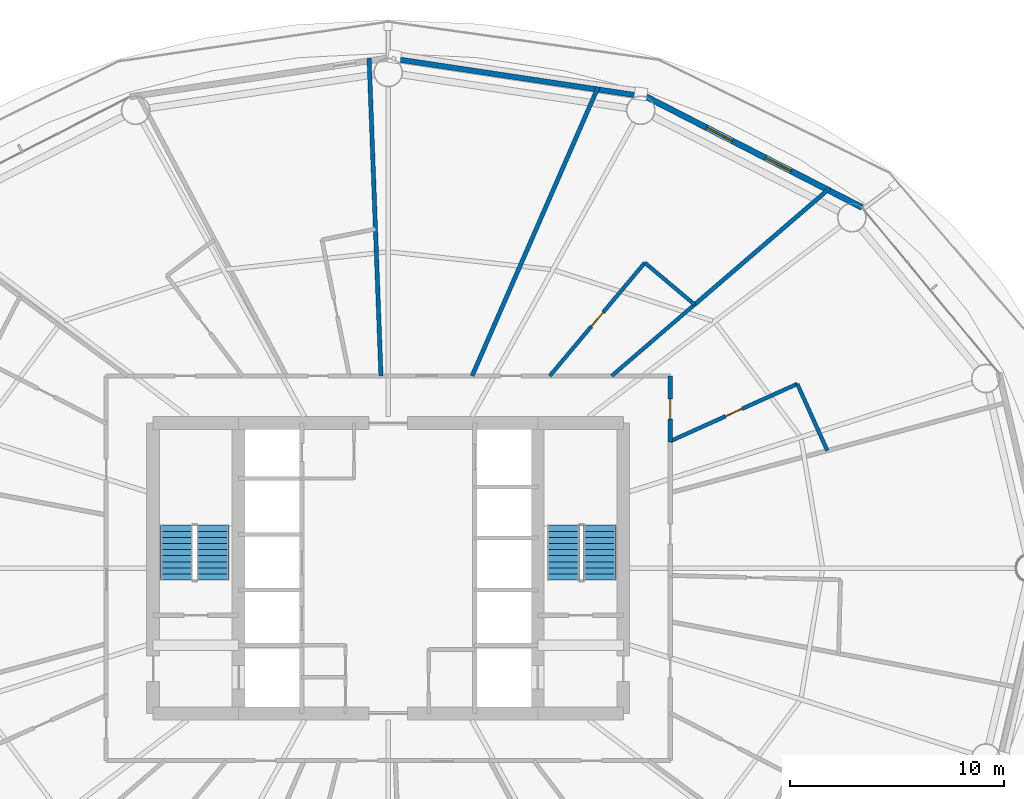
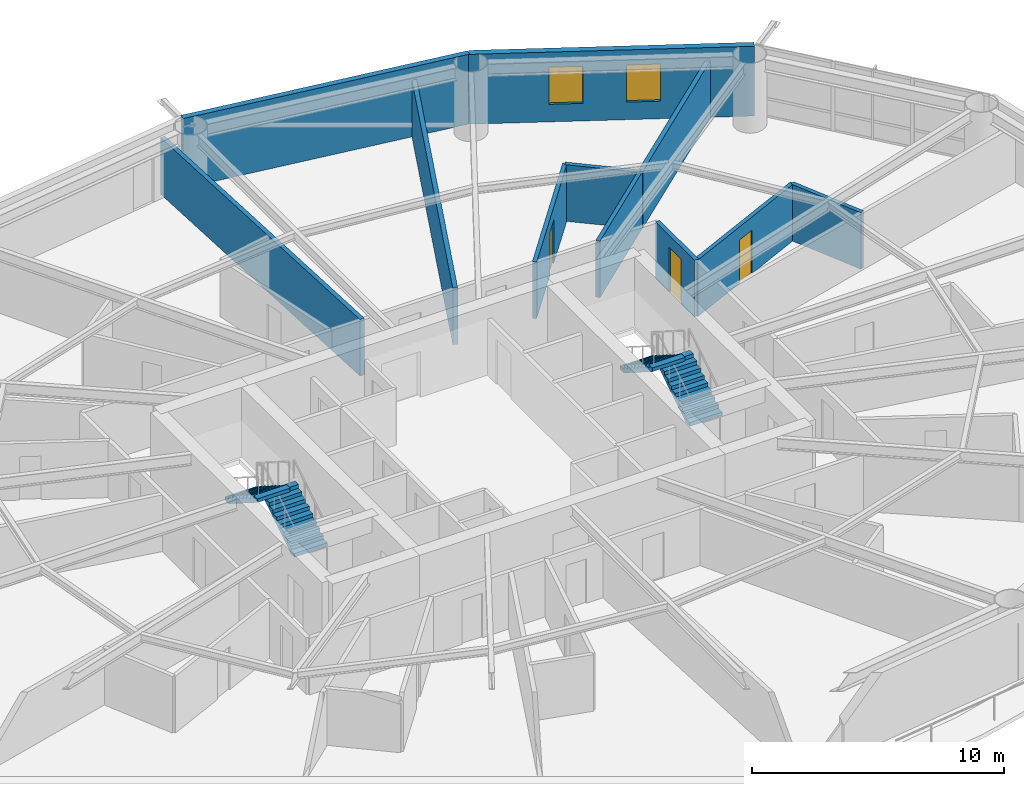
# One storey, part 23 of 26: 11 walls, 4 stair flights, 3 doors, 2 windows, 5 openings, 2 elements without a shape of their own.
"""IFC4 building model written with IfcOpenShell, lengths in metres."""

import ifcopenshell
import ifcopenshell.guid

model = None  # the IFC model being written
_history = None  # IfcOwnerHistory: only IFC2X3 demands one
_inside = {}  # id of a spatial element -> (the spatial element, [elements in it])
_under = {}  # id of a project, library or spatial element -> (it, [spatial elements below it])
_declared = {}  # id of a project -> (the project, [libraries it declares])
_typed = {}  # id of a type object -> (the type object, [elements of that type])
_made_of = {}  # id of a material, layer set ... -> (it, [elements and type objects made of it])


def new_model(schema):
    """Start an empty IFC model of exactly this schema.

    Asked for "IFC4X3", IfcOpenShell would pick the latest addendum, in which some entities
    have other attributes; the version numbers below select the first issue.
    IFC2X3 requires an IfcOwnerHistory on every rooted entity: one is made here for all.
    """
    global model, _history
    if schema == "IFC4X3":
        model = ifcopenshell.file(schema_version=(4, 3, 0, 0))
    else:
        model = ifcopenshell.file(schema=schema)
    _inside.clear()
    _under.clear()
    _declared.clear()
    _typed.clear()
    _made_of.clear()
    _history = None
    if model.schema == "IFC2X3":
        org = make("IfcOrganization", Name="unknown")
        user = make(
            "IfcPersonAndOrganization",
            ThePerson=make("IfcPerson", FamilyName="unknown"),
            TheOrganization=org,
        )
        app = make(
            "IfcApplication",
            ApplicationDeveloper=org,
            Version="unknown",
            ApplicationFullName="unknown",
            ApplicationIdentifier="unknown",
        )
        _history = make(
            "IfcOwnerHistory",
            OwningUser=user,
            OwningApplication=app,
            ChangeAction="ADDED",
            CreationDate=0,
        )
    return model


def make(cls, **values):
    """One entity of the class cls with the attributes given. An attribute that is None is left unset."""
    return model.create_entity(
        cls, **{name: value for name, value in values.items() if value is not None}
    )


def rooted(cls, **values):
    """An entity with a GlobalId (a new one), such as an element, a storey or a relation."""
    return make(cls, GlobalId=ifcopenshell.guid.new(), OwnerHistory=_history, **values)


def si_unit(unit_type, name, prefix=None):
    """IfcSIUnit, for example si_unit("LENGTHUNIT", "METRE", prefix="MILLI")."""
    return make("IfcSIUnit", UnitType=unit_type, Prefix=prefix, Name=name)


def assignment(units):
    """IfcUnitAssignment: the units of a project."""
    return None if units is None else make("IfcUnitAssignment", Units=units)


def point(xyz):
    """IfcCartesianPoint."""
    return None if xyz is None else make("IfcCartesianPoint", Coordinates=xyz)


def direction(xyz):
    """IfcDirection."""
    return None if xyz is None else make("IfcDirection", DirectionRatios=xyz)


def frame(location, z_axis=None, x_axis=None):
    """IfcAxis2Placement3D, a coordinate frame: its origin and axes. An axis left out is left unset."""
    return make(
        "IfcAxis2Placement3D",
        Location=point(location),
        Axis=direction(z_axis),
        RefDirection=direction(x_axis),
    )


def frame_2d(location, x_axis=None):
    """IfcAxis2Placement2D, a coordinate frame in the plane: its origin and x axis."""
    return make(
        "IfcAxis2Placement2D", Location=point(location), RefDirection=direction(x_axis)
    )


def origin():
    """The frame at (0, 0, 0) with its axes left unset."""
    return frame((0.0, 0.0, 0.0))


def place(relative_to, where):
    """IfcLocalPlacement: puts the frame where relative to a parent placement (None: the world)."""
    return make(
        "IfcLocalPlacement", PlacementRelTo=relative_to, RelativePlacement=where
    )


def context(
    kind, dimensions, precision=None, world=None, true_north=None, identifier=None
):
    """IfcGeometricRepresentationContext, for example the 3D "Model" context."""
    return make(
        "IfcGeometricRepresentationContext",
        ContextIdentifier=identifier,
        ContextType=kind,
        CoordinateSpaceDimension=dimensions,
        Precision=precision,
        WorldCoordinateSystem=world,
        TrueNorth=true_north,
    )


def subcontext(parent, identifier, kind, view, scale=None):
    """IfcGeometricRepresentationSubContext, for example "Body" below "Model"."""
    return make(
        "IfcGeometricRepresentationSubContext",
        ContextIdentifier=identifier,
        ContextType=kind,
        ParentContext=parent,
        TargetScale=scale,
        TargetView=view,
    )


def project(units=None, contexts=None):
    """IfcProject with its units and contexts."""
    return rooted(
        "IfcProject",
        Name="project",
        RepresentationContexts=contexts,
        UnitsInContext=assignment(units),
    )


def spatial(cls, under=None, at=None, **own):
    """A site, building, storey or space (cls), placed at a placement, below another one or the project."""
    s = rooted(cls, ObjectPlacement=at, **own)
    if under is not None:
        _under.setdefault(under.id(), (under, []))[1].append(s)
    return s


def polyline(points):
    """IfcPolyline through the points."""
    return make("IfcPolyline", Points=[point(p) for p in points])


def profile(cls, at=None, kind="AREA", **sizes):
    """A parametric profile (cls). Its sizes go by their IFC names, for example OverallWidth=200.0."""
    return make(cls, ProfileType=kind, Position=at, **sizes)


def rectangle(**sizes):
    """IfcRectangleProfileDef."""
    return profile("IfcRectangleProfileDef", **sizes)


def outline(outer, holes=None, kind="AREA"):
    """IfcArbitraryClosedProfileDef: a profile drawn as a closed curve; with holes, ...WithVoids."""
    if holes is None:
        return make("IfcArbitraryClosedProfileDef", ProfileType=kind, OuterCurve=outer)
    return make(
        "IfcArbitraryProfileDefWithVoids",
        ProfileType=kind,
        OuterCurve=outer,
        InnerCurves=holes,
    )


def extrude(swept, where, along, depth):
    """IfcExtrudedAreaSolid: the profile swept, set in the frame where, extruded along a direction by depth."""
    return make(
        "IfcExtrudedAreaSolid",
        SweptArea=swept,
        Position=where,
        ExtrudedDirection=direction(along),
        Depth=depth,
    )


def shape(context_of_items, identifier, shape_type, items):
    """IfcShapeRepresentation: the items that make up one representation, for example the "Body"."""
    return make(
        "IfcShapeRepresentation",
        ContextOfItems=context_of_items,
        RepresentationIdentifier=identifier,
        RepresentationType=shape_type,
        Items=items,
    )


def material(Name=None, Category=None):
    """IfcMaterial."""
    return make("IfcMaterial", Name=Name, Category=Category)


def layer(
    of_material, thickness, ventilated=None, Name=None, Category=None, Priority=None
):
    """IfcMaterialLayer: one layer of a wall or slab, of a material (None: an air gap)."""
    return make(
        "IfcMaterialLayer",
        Material=of_material,
        LayerThickness=thickness,
        IsVentilated=ventilated,
        Name=Name,
        Category=Category,
        Priority=Priority,
    )


def layer_set(layers, Name=None):
    """IfcMaterialLayerSet."""
    return make("IfcMaterialLayerSet", MaterialLayers=layers, LayerSetName=Name)


def made_of(thing, what):
    """Note that an element or type object is made of a material, layer set ...; save() writes the relation."""
    if what is not None:
        _made_of.setdefault(what.id(), (what, []))[1].append(thing)
    return thing


def type_object(cls, material=None, **own):
    """A type object (cls), such as IfcWallType, which elements share."""
    return made_of(rooted(cls, **own), material)


def element(
    cls,
    number,
    at=None,
    inside=None,
    cuts=None,
    type_object=None,
    material=None,
    context=None,
    identifier="Body",
    shape_type=None,
    held_by="IfcProductDefinitionShape",
    body=None,
    shapes=None,
    **own,
):
    """One element of the class cls, such as IfcWall. Its Tag is "e" and its number.

    at: its placement. inside: the storey or other place that contains it. cuts: it is an
    opening in that element (IfcRelVoidsElement). A single representation is given by context,
    identifier, shape_type and body (its items); several are given by shapes. held_by: the class
    of the entity that holds the representations. save() writes the other relations.
    """
    e = rooted(cls, Tag="e%d" % number, ObjectPlacement=at, **own)
    if body is not None:
        shapes = [shape(context, identifier, shape_type, body)]
    if shapes is not None:
        e.Representation = make(held_by, Representations=shapes)
    if inside is not None:
        _inside.setdefault(inside.id(), (inside, []))[1].append(e)
    if cuts is not None:
        rooted(
            "IfcRelVoidsElement", RelatingBuildingElement=cuts, RelatedOpeningElement=e
        )
    if type_object is not None:
        _typed.setdefault(type_object.id(), (type_object, []))[1].append(e)
    return made_of(e, material)


def fill(opening, filler):
    """IfcRelFillsElement: the door or window that sits in an opening."""
    return rooted(
        "IfcRelFillsElement",
        RelatingOpeningElement=opening,
        RelatedBuildingElement=filler,
    )


def aggregate(whole, parts):
    """IfcRelAggregates: a whole, such as a stair, and the parts it consists of."""
    return rooted("IfcRelAggregates", RelatingObject=whole, RelatedObjects=parts)


def save(model, path):
    """Write the relations noted so far, then the file.

    IfcRelAggregates (storeys below a building ...), IfcRelContainedInSpatialStructure (elements
    in a storey), IfcRelDefinesByType, IfcRelAssociatesMaterial and IfcRelDeclares: one each for
    every whole, place, type object, material and project.
    """
    for whole, parts in _under.values():
        aggregate(whole, parts)
    for where, things in _inside.values():
        rooted(
            "IfcRelContainedInSpatialStructure",
            RelatedElements=things,
            RelatingStructure=where,
        )
    for kind, things in _typed.values():
        rooted("IfcRelDefinesByType", RelatedObjects=things, RelatingType=kind)
    for what, things in _made_of.values():
        rooted("IfcRelAssociatesMaterial", RelatedObjects=things, RelatingMaterial=what)
    for by, libraries in _declared.values():
        rooted("IfcRelDeclares", RelatingContext=by, RelatedDefinitions=libraries)
    model.write(path)


model = new_model("IFC4")

# Units and contexts
model_context = context("Model", 3, precision=1e-05, world=origin(), true_north=direction((0.0, 1.0)))
body_context = subcontext(model_context, "Body", "Model", "MODEL_VIEW")
ifc_project = project(units=[si_unit("LENGTHUNIT", "METRE"), si_unit("AREAUNIT", "SQUARE_METRE"), si_unit("VOLUMEUNIT", "CUBIC_METRE"), si_unit("PLANEANGLEUNIT", "RADIAN"), si_unit("MASSUNIT", "GRAM", prefix="KILO")], contexts=[model_context])

# Site, building, storey
site_placement = place(None, origin())
site = spatial("IfcSite", under=ifc_project, at=site_placement, CompositionType="ELEMENT")
building_placement = place(site_placement, origin())
building = spatial("IfcBuilding", under=site, at=building_placement, Name="Sarneth Arch Tower", CompositionType="ELEMENT")
storey_placement = place(building_placement, frame((0.0, 0.0, 46.199951171875)))
storey = spatial("IfcBuildingStorey", under=building, at=storey_placement, Name="L10", CompositionType="ELEMENT", Elevation=46.199951171875)

# Wall, opening, door
ifc_material_1 = material(Name="Double steel-stud corridor fire wall", Category="steel")
ifc_layer_1 = layer(ifc_material_1, 0.18994140625)
ifc_layer_set_1 = layer_set([ifc_layer_1], Name="Double steel-stud corridor fire wall")
wall_type_1 = type_object("IfcWallType", Name="WALL-CORR-190", PredefinedType="PARTITIONING", material=ifc_layer_set_1)
wall_1_placement = place(storey_placement, frame((61.199951171875, 51.0, 0.0), z_axis=(0.0, 0.0, 1.0), x_axis=(0.0, -1.0, 0.0)))
wall_1 = element("IfcWall", 1, at=wall_1_placement, inside=storey, type_object=wall_type_1, Name="L10 Interior partition W-L10-TP-002", PredefinedType="PARTITIONING", context=body_context, shape_type="SweptSolid", body=[
    extrude(rectangle(XDim=3.0869140625, YDim=0.18994140625, at=frame_2d((1.54345703125, 0.0))), origin(), (0.0, 0.0, 1.0), 2.739990234375),
])
opening_1_placement = place(wall_1_placement, frame((1.068603515625, 0.0, 0.0)))
opening_1 = element("IfcOpeningElement", 2, at=opening_1_placement, cuts=wall_1, Name="Opening FD-09", PredefinedType="OPENING", context=body_context, shape_type="SweptSolid", body=[
    extrude(rectangle(XDim=0.949951171875, YDim=2.14990234375, at=frame_2d((0.47509765625, 1.074951171875))), frame((0.0, 0.10498046875, 0.0), z_axis=(0.0, -1.0, 0.0), x_axis=(1.0, 0.0, 0.0)), (0.0, 0.0, 1.0), 0.2099609375),
])
ifc_material_2 = material(Name="Hardwood timber hotel entrance fire door", Category="wood")
door_type_1 = type_object("IfcDoorType", Name="DR-FD60-950", OperationType="SINGLE_SWING_RIGHT", PredefinedType="DOOR", material=ifc_material_2)
door_1_placement = place(opening_1_placement, origin())
door_1 = element("IfcDoor", 3, at=door_1_placement, inside=storey, type_object=door_type_1, Name="L10 Interior door DR-L10-KEY-01", OperationType="SINGLE_SWING_LEFT", OverallHeight=2.14990234375, OverallWidth=0.949951171875, PredefinedType="DOOR", context=body_context, shape_type="SweptSolid", body=[
    extrude(rectangle(XDim=0.949951171875, YDim=2.14990234375, at=frame_2d((0.47509765625, 1.074951171875))), frame((0.0, 0.02490234375, 0.0), z_axis=(0.0, -1.0, 0.0), x_axis=(1.0, 0.0, 0.0)), (0.0, 0.0, 1.0), 0.050048828125),
])
fill(opening_1, door_1)

# Wall
ifc_material_3 = material(Name="Extruded terracotta rainscreen on Concrete C40/50 backing", Category="masonry")
ifc_layer_2 = layer(ifc_material_3, 0.25)
ifc_layer_set_2 = layer_set([ifc_layer_2], Name="Extruded terracotta rainscreen on Concrete C40/50 backing")
wall_type_2 = type_object("IfcWallType", Name="WALL-EXT-SPAND-250", PredefinedType="SOLIDWALL", material=ifc_layer_set_2)
wall_2_placement = place(storey_placement, frame((60.077880859375, 64.062255859375, 0.0), z_axis=(0.0, 0.0, 1.0), x_axis=(-0.988864835849, 0.148816452121, 0.0)))
element("IfcWall", 4, at=wall_2_placement, inside=storey, type_object=wall_type_2, Name="L10 Terracotta perimeter wall 04", PredefinedType="SOLIDWALL", context=body_context, shape_type="SweptSolid", body=[
    extrude(rectangle(XDim=12.2138671875, YDim=0.25, at=frame_2d((6.10693359375, 0.0))), origin(), (0.0, 0.0, 1.0), 3.380126953125),
])

# Wall, openings, windows
ifc_material_4 = material(Name="Extruded terracotta rainscreen on Concrete C40/50 backing", Category="masonry")
ifc_layer_3 = layer(ifc_material_4, 0.280029296875)
ifc_layer_set_3 = layer_set([ifc_layer_3], Name="Extruded terracotta rainscreen on Concrete C40/50 backing")
wall_type_3 = type_object("IfcWallType", Name="WALL-EXT-TERRA-280", PredefinedType="SOLIDWALL", material=ifc_layer_set_3)
wall_3_placement = place(storey_placement, frame((70.174072265625, 58.8857421875, 0.0), z_axis=(0.0, 0.0, 1.0), x_axis=(-0.889853976658, 0.456245438581, 0.0)))
wall_3 = element("IfcWall", 5, at=wall_3_placement, inside=storey, type_object=wall_type_3, Name="L10 Terracotta perimeter wall 03", PredefinedType="SOLIDWALL", context=body_context, shape_type="SweptSolid", body=[
    extrude(rectangle(XDim=11.345947265625, YDim=0.280029296875, at=frame_2d((5.6728515625, 0.0))), origin(), (0.0, 0.0, 1.0), 3.380126953125),
])
opening_2_placement = place(wall_3_placement, frame((3.731689453125, 0.0, 0.85009765625)))
opening_2 = element("IfcOpeningElement", 6, at=opening_2_placement, cuts=wall_3, Name="Opening W-08", PredefinedType="OPENING", context=body_context, shape_type="SweptSolid", body=[
    extrude(rectangle(XDim=1.35009765625, YDim=1.800048828125, at=frame_2d((0.675048828125, 0.89990234375))), frame((0.0, 0.14990234375, 0.0), z_axis=(0.0, -1.0, 0.0), x_axis=(1.0, 0.0, 0.0)), (0.0, 0.0, 1.0), 0.300048828125),
])
opening_3_placement = place(wall_3_placement, frame((6.811279296875, 0.0, 0.85009765625)))
opening_3 = element("IfcOpeningElement", 7, at=opening_3_placement, cuts=wall_3, Name="Opening W-08", PredefinedType="OPENING", context=body_context, shape_type="SweptSolid", body=[
    extrude(rectangle(XDim=1.35009765625, YDim=1.800048828125, at=frame_2d((0.675048828125, 0.89990234375))), frame((0.0, 0.14990234375, 0.0), z_axis=(0.0, -1.0, 0.0), x_axis=(1.0, 0.0, 0.0)), (0.0, 0.0, 1.0), 0.300048828125),
])
ifc_material_5 = material(Name="Thermally broken Aluminium 6063-T6 and low-e laminated IGU", Category="aluminium")
window_type = type_object("IfcWindowType", Name="WIN-TWR-1350x1800", PartitioningType="SINGLE_PANEL", PredefinedType="WINDOW", material=ifc_material_5)
window_1_placement = place(opening_2_placement, origin())
window_1 = element("IfcWindow", 8, at=window_1_placement, inside=storey, type_object=window_type, Name="L10 Exterior window 03A", OverallHeight=1.800048828125, OverallWidth=1.35009765625, PartitioningType="SINGLE_PANEL", PredefinedType="WINDOW", context=body_context, shape_type="SweptSolid", body=[
    extrude(rectangle(XDim=1.35009765625, YDim=1.800048828125, at=frame_2d((0.675048828125, 0.89990234375))), frame((0.0, 0.030029296875, 0.0), z_axis=(0.0, -1.0, 0.0), x_axis=(1.0, 0.0, 0.0)), (0.0, 0.0, 1.0), 0.06005859375),
])
fill(opening_2, window_1)
window_2_placement = place(opening_3_placement, origin())
window_2 = element("IfcWindow", 9, at=window_2_placement, inside=storey, type_object=window_type, Name="L10 Exterior window 03B", OverallHeight=1.800048828125, OverallWidth=1.35009765625, PartitioningType="SINGLE_PANEL", PredefinedType="WINDOW", context=body_context, shape_type="SweptSolid", body=[
    extrude(rectangle(XDim=1.35009765625, YDim=1.800048828125, at=frame_2d((0.675048828125, 0.89990234375))), frame((0.0, 0.030029296875, 0.0), z_axis=(0.0, -1.0, 0.0), x_axis=(1.0, 0.0, 0.0)), (0.0, 0.0, 1.0), 0.06005859375),
])
fill(opening_3, window_2)

# Wall, opening, door
ifc_material_6 = material(Name="Moisture-resistant plumbing chase wall", Category="gypsum")
ifc_layer_4 = layer(ifc_material_6, 0.179931640625)
ifc_layer_set_4 = layer_set([ifc_layer_4], Name="Moisture-resistant plumbing chase wall")
wall_type_4 = type_object("IfcWallType", Name="WALL-PLUMB-180", PredefinedType="PLUMBINGWALL", material=ifc_layer_set_4)
wall_4_placement = place(storey_placement, frame((55.5595703125, 51.0, 0.0), z_axis=(0.0, 0.0, 1.0), x_axis=(0.643154836645, 0.765736153058, 0.0)))
wall_4 = element("IfcWall", 10, at=wall_4_placement, inside=storey, type_object=wall_type_4, Name="L10 Interior partition W-L10-TP-036", PredefinedType="PLUMBINGWALL", context=body_context, shape_type="SweptSolid", body=[
    extrude(rectangle(XDim=6.9169921875, YDim=0.179931640625, at=frame_2d((3.45849609375, 0.0))), origin(), (0.0, 0.0, 1.0), 2.739990234375),
])
opening_4_placement = place(wall_4_placement, frame((3.03369140625, 0.0, 0.0)))
opening_4 = element("IfcOpeningElement", 11, at=opening_4_placement, cuts=wall_4, Name="Opening ID-02", PredefinedType="OPENING", context=body_context, shape_type="SweptSolid", body=[
    extrude(rectangle(XDim=0.85009765625, YDim=2.10009765625, at=frame_2d((0.425048828125, 1.050048828125))), frame((0.0, 0.099853515625, 0.0), z_axis=(0.0, -1.0, 0.0), x_axis=(1.0, 0.0, 0.0)), (0.0, 0.0, 1.0), 0.199951171875),
])
ifc_material_7 = material(Name="Moisture-resistant bathroom timber door", Category="wood")
door_type_2 = type_object("IfcDoorType", Name="DR-INT-850", OperationType="SINGLE_SWING_RIGHT", PredefinedType="DOOR", material=ifc_material_7)
door_2_placement = place(opening_4_placement, origin())
door_2 = element("IfcDoor", 12, at=door_2_placement, inside=storey, type_object=door_type_2, Name="L10 Interior door DR-L10-ENS-02", OperationType="SINGLE_SWING_RIGHT", OverallHeight=2.10009765625, OverallWidth=0.85009765625, PredefinedType="DOOR", context=body_context, shape_type="SweptSolid", body=[
    extrude(rectangle(XDim=0.85009765625, YDim=2.10009765625, at=frame_2d((0.425048828125, 1.050048828125))), frame((0.0, 0.02490234375, 0.0), z_axis=(0.0, -1.0, 0.0), x_axis=(1.0, 0.0, 0.0)), (0.0, 0.0, 1.0), 0.050048828125),
])
fill(opening_4, door_2)

wall_5_placement = place(storey_placement, frame((67.14306640625, 50.626220703125, 0.0), z_axis=(0.0, 0.0, 1.0), x_axis=(-0.911702033518, -0.410852044025, 0.0)))
wall_5 = element("IfcWall", 13, at=wall_5_placement, inside=storey, type_object=wall_type_4, Name="L10 Interior partition W-L10-TP-031", PredefinedType="PLUMBINGWALL", context=body_context, shape_type="SweptSolid", body=[
    extrude(rectangle(XDim=6.518798828125, YDim=0.179931640625, at=frame_2d((3.25927734375, 0.0))), origin(), (0.0, 0.0, 1.0), 2.739990234375),
])
opening_5_placement = place(wall_5_placement, frame((2.834228515625, 0.0, 0.0)))
opening_5 = element("IfcOpeningElement", 14, at=opening_5_placement, cuts=wall_5, Name="Opening ID-02", PredefinedType="OPENING", context=body_context, shape_type="SweptSolid", body=[
    extrude(rectangle(XDim=0.85009765625, YDim=2.10009765625, at=frame_2d((0.425048828125, 1.050048828125))), frame((0.0, 0.099853515625, 0.0), z_axis=(0.0, -1.0, 0.0), x_axis=(1.0, 0.0, 0.0)), (0.0, 0.0, 1.0), 0.199951171875),
])
door_3_placement = place(opening_5_placement, origin())
door_3 = element("IfcDoor", 15, at=door_3_placement, inside=storey, type_object=door_type_2, Name="L10 Interior door DR-L10-ENS-01", OperationType="SINGLE_SWING_RIGHT", OverallHeight=2.10009765625, OverallWidth=0.85009765625, PredefinedType="DOOR", context=body_context, shape_type="SweptSolid", body=[
    extrude(rectangle(XDim=0.85009765625, YDim=2.10009765625, at=frame_2d((0.425048828125, 1.050048828125))), frame((0.0, 0.02490234375, 0.0), z_axis=(0.0, -1.0, 0.0), x_axis=(1.0, 0.0, 0.0)), (0.0, 0.0, 1.0), 0.050048828125),
])
fill(opening_5, door_3)

# Walls
wall_6_placement = place(storey_placement, frame((62.338623046875, 54.33935546875, 0.0), z_axis=(0.0, 0.0, 1.0), x_axis=(-0.757969199921, -0.652290343307, 0.0)))
element("IfcWall", 16, at=wall_6_placement, inside=storey, type_object=wall_type_4, Name="L10 Interior partition W-L10-TP-033", PredefinedType="PLUMBINGWALL", context=body_context, shape_type="SweptSolid", body=[
    extrude(rectangle(XDim=5.119384765625, YDim=0.179931640625, at=frame_2d((2.5595703125, 0.0))), origin(), (0.0, 0.0, 1.0), 2.739990234375),
])
wall_7_placement = place(storey_placement, frame((68.549072265625, 47.506103515625, 0.0), z_axis=(0.0, 0.0, 1.0), x_axis=(-0.410839223928, 0.911707810695, 0.0)))
element("IfcWall", 17, at=wall_7_placement, inside=storey, type_object=wall_type_4, Name="L10 Interior partition W-L10-TP-030", PredefinedType="PLUMBINGWALL", context=body_context, shape_type="SweptSolid", body=[
    extrude(rectangle(XDim=3.42236328125, YDim=0.179931640625, at=frame_2d((1.711181640625, 0.0))), origin(), (0.0, 0.0, 1.0), 2.739990234375),
])
wall_8_placement = place(storey_placement, frame((60.00830078125, 56.296630859375, 0.0), z_axis=(0.0, 0.0, 1.0), x_axis=(0.765736471754, -0.643154457208, 0.0)))
element("IfcWall", 18, at=wall_8_placement, inside=storey, type_object=wall_type_4, Name="L10 Interior partition W-L10-TP-037", PredefinedType="PLUMBINGWALL", context=body_context, shape_type="SweptSolid", body=[
    extrude(rectangle(XDim=3.043212890625, YDim=0.179931640625, at=frame_2d((1.521484375, 0.0))), origin(), (0.0, 0.0, 1.0), 2.739990234375),
])
ifc_material_8 = material(Name="Double steel-stud acoustic drywall", Category="steel")
ifc_layer_5 = layer(ifc_material_8, 0.199951171875)
ifc_layer_set_5 = layer_set([ifc_layer_5], Name="Double steel-stud acoustic drywall")
wall_type_5 = type_object("IfcWallType", Name="WALL-UNIT-200", PredefinedType="PARTITIONING", material=ifc_layer_set_5)
wall_9_placement = place(storey_placement, frame((57.82470703125, 64.5185546875, 0.0), z_axis=(0.0, 0.0, 1.0), x_axis=(-0.399884283786, -0.916565632991, 0.0)))
element("IfcWall", 19, at=wall_9_placement, inside=storey, type_object=wall_type_5, Name="L10 Interior partition W-L10-TP-038", PredefinedType="PARTITIONING", context=body_context, shape_type="SweptSolid", body=[
    extrude(rectangle(XDim=14.7490234375, YDim=0.199951171875, at=frame_2d((7.37451171875, 0.0))), origin(), (0.0, 0.0, 1.0), 2.739990234375),
])
wall_10_placement = place(storey_placement, frame((68.66552734375, 59.7841796875, 0.0), z_axis=(0.0, 0.0, 1.0), x_axis=(-0.757966817992, -0.652293111127, 0.0)))
element("IfcWall", 20, at=wall_10_placement, inside=storey, type_object=wall_type_5, Name="L10 Interior partition W-L10-TP-032", PredefinedType="PARTITIONING", context=body_context, shape_type="SweptSolid", body=[
    extrude(rectangle(XDim=8.34716796875, YDim=0.199951171875, at=frame_2d((4.173583984375, 0.0))), origin(), (0.0, 0.0, 1.0), 2.739990234375),
])
wall_11_placement = place(storey_placement, frame((47.6630859375, 51.0, 0.0), z_axis=(0.0, 0.0, 1.0), x_axis=(-0.037384345878, 0.999300961014, 0.0)))
element("IfcWall", 21, at=wall_11_placement, inside=storey, type_object=wall_type_5, Name="L10 Interior partition W-L10-TP-039", PredefinedType="PARTITIONING", context=body_context, shape_type="SweptSolid", body=[
    extrude(rectangle(XDim=14.876708984375, YDim=0.199951171875, at=frame_2d((7.4384765625, 0.0))), origin(), (0.0, 0.0, 1.0), 2.739990234375),
])

# Stair, stair flights
ifc_material_9 = material(Name="Concrete C50/60", Category="concrete")
stair_type = type_object("IfcStairType", Name="STAIR-CORE-RC", PredefinedType="HALF_TURN_STAIR", material=ifc_material_9)
stair_1_placement = place(storey_placement, origin())
stair_1 = element("IfcStair", 22, at=stair_1_placement, inside=storey, type_object=stair_type, Name="L10 Core Exit Stair 1", PredefinedType="HALF_TURN_STAIR")
ifc_material_10 = material(Name="Concrete C50/60", Category="concrete")
stair_flight_type = type_object("IfcStairFlightType", Name="FLIGHT-RC-1500", PredefinedType="STRAIGHT", material=ifc_material_10)
stair_flight_1_placement = place(storey_placement, frame((39.800048828125, 41.449951171875, 0.0), z_axis=(0.0, 0.0, 1.0), x_axis=(0.0, 1.0, 0.0)))
stair_flight_1 = element("IfcStairFlight", 23, at=stair_flight_1_placement, type_object=stair_flight_type, Name="ST-1 flight 1", NumberOfRisers=10, NumberOfTreads=9, PredefinedType="STRAIGHT", RiserHeight=0.18, TreadLength=0.285, context=body_context, shape_type="SweptSolid", body=[
    extrude(outline(polyline([(0.0, 0.0), (0.0, 0.179931640625), (0.284912109375, 0.179931640625), (0.284912109375, 0.360107421875), (0.570068359375, 0.360107421875), (0.570068359375, 0.5400390625), (0.85498046875, 0.5400390625), (0.85498046875, 0.719970703125), (1.139892578125, 0.719970703125), (1.139892578125, 0.89990234375), (1.425048828125, 0.89990234375), (1.425048828125, 1.080078125), (1.7099609375, 1.080078125), (1.7099609375, 1.260009765625), (1.9951171875, 1.260009765625), (1.9951171875, 1.43994140625), (2.280029296875, 1.43994140625), (2.280029296875, 1.6201171875), (2.56494140625, 1.6201171875), (2.56494140625, 1.800048828125), (2.56494140625, 1.442626953125), (0.28076171875, 0.0), (0.0, 0.0)])), frame((0.0, 0.75, 0.0), z_axis=(0.0, -1.0, 0.0), x_axis=(1.0, 0.0, 0.0)), (0.0, 0.0, 1.0), 1.5),
])
stair_flight_2_placement = place(storey_placement, frame((38.10009765625, 44.014892578125, 1.800048828125), z_axis=(0.0, 0.0, 1.0), x_axis=(0.0, -1.0, 0.0)))
stair_flight_2 = element("IfcStairFlight", 24, at=stair_flight_2_placement, type_object=stair_flight_type, Name="ST-1 flight 2", NumberOfRisers=10, NumberOfTreads=9, PredefinedType="STRAIGHT", RiserHeight=0.18, TreadLength=0.285, context=body_context, shape_type="SweptSolid", body=[
    extrude(outline(polyline([(0.0, 0.0), (0.0, 0.179931640625), (0.284912109375, 0.179931640625), (0.284912109375, 0.360107421875), (0.570068359375, 0.360107421875), (0.570068359375, 0.5400390625), (0.85498046875, 0.5400390625), (0.85498046875, 0.719970703125), (1.139892578125, 0.719970703125), (1.139892578125, 0.89990234375), (1.425048828125, 0.89990234375), (1.425048828125, 1.080078125), (1.7099609375, 1.080078125), (1.7099609375, 1.260009765625), (1.9951171875, 1.260009765625), (1.9951171875, 1.43994140625), (2.280029296875, 1.43994140625), (2.280029296875, 1.6201171875), (2.56494140625, 1.6201171875), (2.56494140625, 1.800048828125), (2.56494140625, 1.442626953125), (0.28076171875, 0.0), (0.0, 0.0)])), frame((0.0, 0.75, 0.0), z_axis=(0.0, -1.0, 0.0), x_axis=(1.0, 0.0, 0.0)), (0.0, 0.0, 1.0), 1.5),
])
aggregate(stair_1, [stair_flight_1, stair_flight_2])

stair_2_placement = place(storey_placement, origin())
stair_2 = element("IfcStair", 25, at=stair_2_placement, inside=storey, type_object=stair_type, Name="L10 Core Exit Stair 2", PredefinedType="HALF_TURN_STAIR")
stair_flight_3_placement = place(storey_placement, frame((57.89990234375, 41.449951171875, 0.0), z_axis=(0.0, 0.0, 1.0), x_axis=(0.0, 1.0, 0.0)))
stair_flight_3 = element("IfcStairFlight", 26, at=stair_flight_3_placement, type_object=stair_flight_type, Name="ST-2 flight 1", NumberOfRisers=10, NumberOfTreads=9, PredefinedType="STRAIGHT", RiserHeight=0.18, TreadLength=0.285, context=body_context, shape_type="SweptSolid", body=[
    extrude(outline(polyline([(0.0, 0.0), (0.0, 0.179931640625), (0.284912109375, 0.179931640625), (0.284912109375, 0.360107421875), (0.570068359375, 0.360107421875), (0.570068359375, 0.5400390625), (0.85498046875, 0.5400390625), (0.85498046875, 0.719970703125), (1.139892578125, 0.719970703125), (1.139892578125, 0.89990234375), (1.425048828125, 0.89990234375), (1.425048828125, 1.080078125), (1.7099609375, 1.080078125), (1.7099609375, 1.260009765625), (1.9951171875, 1.260009765625), (1.9951171875, 1.43994140625), (2.280029296875, 1.43994140625), (2.280029296875, 1.6201171875), (2.56494140625, 1.6201171875), (2.56494140625, 1.800048828125), (2.56494140625, 1.442626953125), (0.28076171875, 0.0), (0.0, 0.0)])), frame((0.0, 0.75, 0.0), z_axis=(0.0, -1.0, 0.0), x_axis=(1.0, 0.0, 0.0)), (0.0, 0.0, 1.0), 1.5),
])
stair_flight_4_placement = place(storey_placement, frame((56.199951171875, 44.014892578125, 1.800048828125), z_axis=(0.0, 0.0, 1.0), x_axis=(0.0, -1.0, 0.0)))
stair_flight_4 = element("IfcStairFlight", 27, at=stair_flight_4_placement, type_object=stair_flight_type, Name="ST-2 flight 2", NumberOfRisers=10, NumberOfTreads=9, PredefinedType="STRAIGHT", RiserHeight=0.18, TreadLength=0.285, context=body_context, shape_type="SweptSolid", body=[
    extrude(outline(polyline([(0.0, 0.0), (0.0, 0.179931640625), (0.284912109375, 0.179931640625), (0.284912109375, 0.360107421875), (0.570068359375, 0.360107421875), (0.570068359375, 0.5400390625), (0.85498046875, 0.5400390625), (0.85498046875, 0.719970703125), (1.139892578125, 0.719970703125), (1.139892578125, 0.89990234375), (1.425048828125, 0.89990234375), (1.425048828125, 1.080078125), (1.7099609375, 1.080078125), (1.7099609375, 1.260009765625), (1.9951171875, 1.260009765625), (1.9951171875, 1.43994140625), (2.280029296875, 1.43994140625), (2.280029296875, 1.6201171875), (2.56494140625, 1.6201171875), (2.56494140625, 1.800048828125), (2.56494140625, 1.442626953125), (0.28076171875, 0.0), (0.0, 0.0)])), frame((0.0, 0.75, 0.0), z_axis=(0.0, -1.0, 0.0), x_axis=(1.0, 0.0, 0.0)), (0.0, 0.0, 1.0), 1.5),
])
aggregate(stair_2, [stair_flight_3, stair_flight_4])

save(model, "model.ifc")
